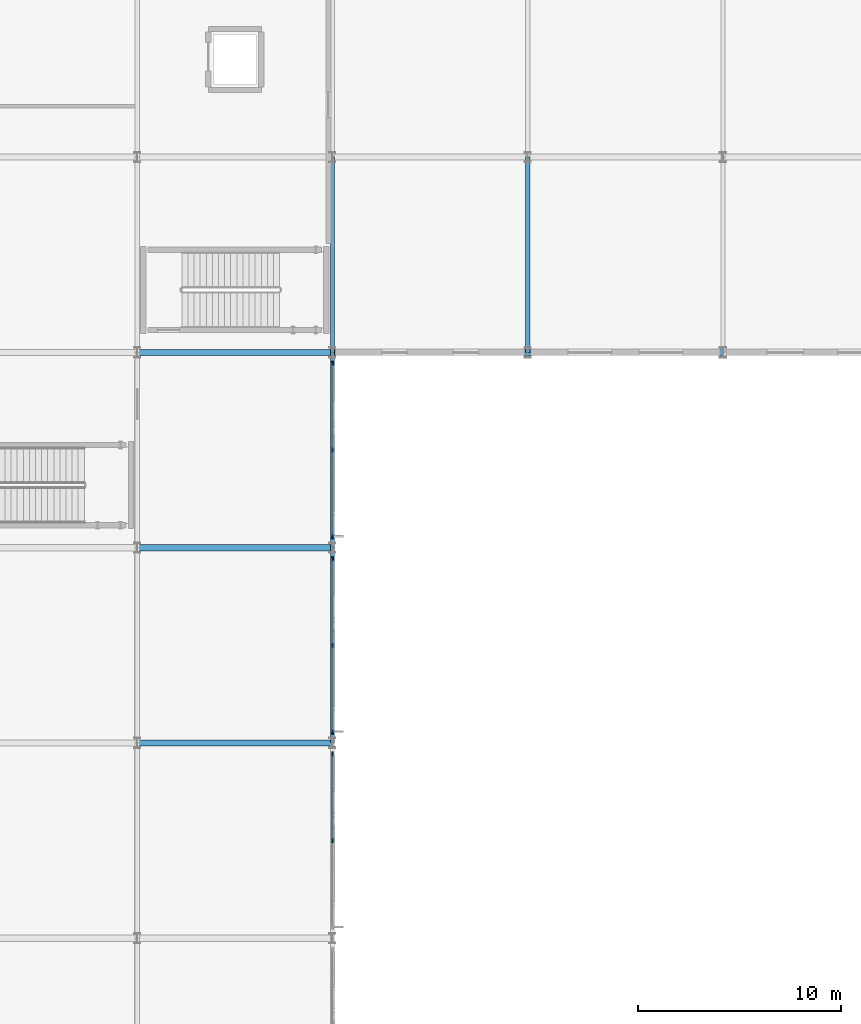
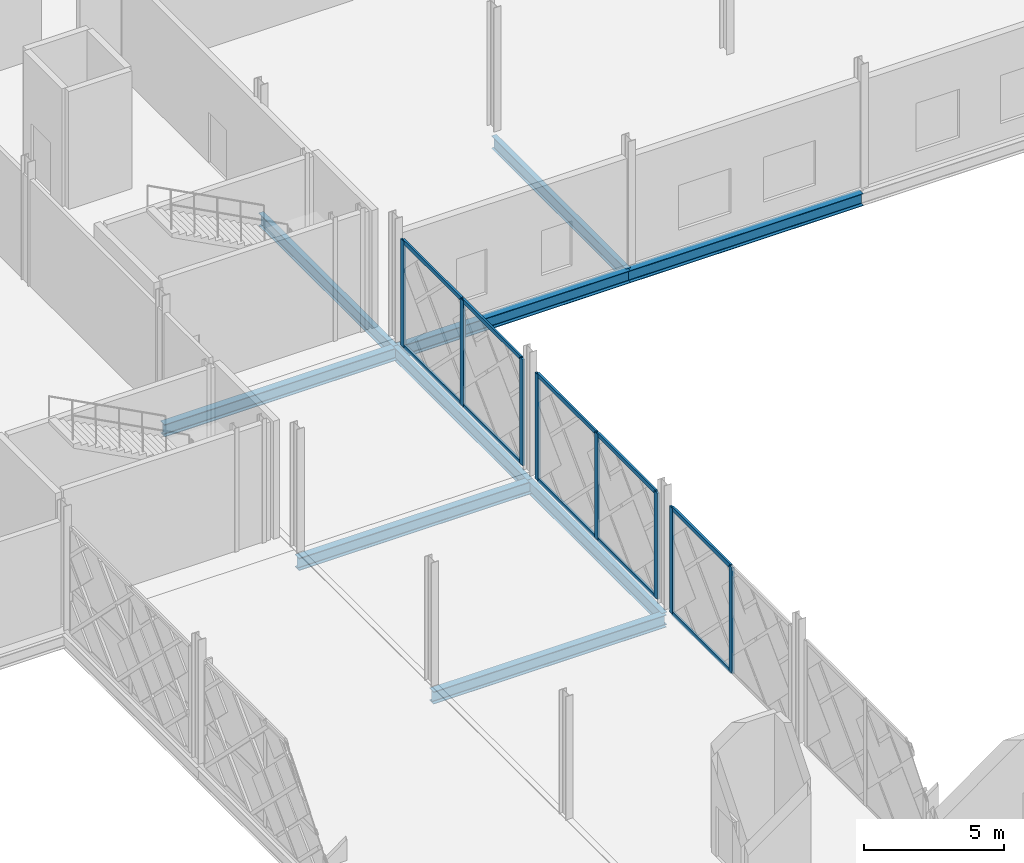
# One storey, part 38 of 84: 18 members, 9 beams, 3 elements without a shape of their own.
"""IFC4 building model written with IfcOpenShell, lengths in metres."""

from ifc_helpers import new_model, si_unit, direction, frame, origin, origin_2d, place, context, subcontext, project, spatial, rectangle, i_section, extrude, material, layer, layer_set, material_profile, profile_set, type_object, element, aggregate, save


model = new_model("IFC4")

# Units and contexts
model_context = context("Model", 3, precision=1e-05, world=origin(), true_north=direction((0.0, 1.0)))
body_context = subcontext(model_context, "Body", "Model", "MODEL_VIEW")
ifc_project = project(units=[si_unit("LENGTHUNIT", "METRE"), si_unit("AREAUNIT", "SQUARE_METRE"), si_unit("VOLUMEUNIT", "CUBIC_METRE"), si_unit("PLANEANGLEUNIT", "RADIAN"), si_unit("MASSUNIT", "GRAM", prefix="KILO")], contexts=[model_context])

# Site, building, storey
site_placement = place(None, origin())
site = spatial("IfcSite", under=ifc_project, at=site_placement, CompositionType="ELEMENT")
building_placement = place(site_placement, origin())
building = spatial("IfcBuilding", under=site, at=building_placement, Name="Zevrakil Square Congress Hotel", CompositionType="ELEMENT")
storey_placement = place(building_placement, origin())
storey = spatial("IfcBuildingStorey", under=building, at=storey_placement, Name="L01", CompositionType="ELEMENT", Elevation=0.0)

# Beams
ifc_material_1 = material(Name="Steel S355", Category="steel")
ifc_material_profile_1 = material_profile(ifc_material_1, i_section(OverallWidth=0.300048828125, OverallDepth=0.5400390625, WebThickness=0.012451171875, FlangeThickness=0.02392578125, FilletRadius=0.027099609375, at=origin_2d()), Name="HEA 550")
ifc_profile_set_1 = profile_set([ifc_material_profile_1], Name="Steel S355")
beam_type_1 = type_object("IfcBeamType", Name="BM-HEA550", PredefinedType="BEAM", material=ifc_profile_set_1)
for number, where, z_axis, x_axis, name in (
    (1, (55.199951171875, 64.800048828125, -0.590087890625), (1.0, 0.0, 0.0), (0.0, 1.0, 0.0), "L01 primary girder BX-0371"),
    (2, (55.199951171875, 74.39990234375, -0.590087890625), (1.0, 0.0, 0.0), (0.0, 1.0, 0.0), "L01 primary girder BX-0385"),
    (3, (55.199951171875, 84.0, -0.590087890625), (1.0, 0.0, 0.0), (0.0, 1.0, 0.0), "L01 primary girder BX-0391"),
):
    element("IfcBeam", number, at=place(storey_placement, frame(where, z_axis=z_axis, x_axis=x_axis)), inside=storey, type_object=beam_type_1, Name=name, PredefinedType="BEAM", context=body_context, shape_type="SweptSolid", body=[
        extrude(i_section(OverallWidth=0.300048828125, OverallDepth=0.5400390625, WebThickness=0.012451171875, FlangeThickness=0.02392578125, FilletRadius=0.027099609375, at=origin_2d()), origin(), (0.0, 0.0, 1.0), 9.60009765625),
    ])
beam_1_placement = place(storey_placement, frame((64.800048828125, 84.0, -0.590087890625), z_axis=(1.0, 0.0, 0.0), x_axis=(0.0, 1.0, 0.0)))
element("IfcBeam", 4, at=beam_1_placement, inside=storey, type_object=beam_type_1, Name="L01 primary girder BX-0392", PredefinedType="BEAM", context=body_context, shape_type="SweptSolid", body=[
    extrude(i_section(OverallWidth=0.300048828125, OverallDepth=0.5400390625, WebThickness=0.012451171875, FlangeThickness=0.02392578125, FilletRadius=0.027099609375, at=origin_2d()), origin(), (0.0, 0.0, 1.0), 9.599853515625),
])
beam_2_placement = place(storey_placement, frame((74.39990234375, 84.0, -0.590087890625), z_axis=(1.0, 0.0, 0.0), x_axis=(0.0, 1.0, 0.0)))
element("IfcBeam", 5, at=beam_2_placement, inside=storey, type_object=beam_type_1, Name="L01 primary girder BX-0393", PredefinedType="BEAM", context=body_context, shape_type="SweptSolid", body=[
    extrude(i_section(OverallWidth=0.300048828125, OverallDepth=0.5400390625, WebThickness=0.012451171875, FlangeThickness=0.02392578125, FilletRadius=0.027099609375, at=origin_2d()), origin(), (0.0, 0.0, 1.0), 9.60009765625),
])
ifc_material_2 = material(Name="Steel S355", Category="steel")
ifc_material_profile_2 = material_profile(ifc_material_2, i_section(OverallWidth=0.2099609375, OverallDepth=0.550048828125, WebThickness=0.010986328125, FlangeThickness=0.01708984375, FilletRadius=0.02392578125, at=origin_2d()), Name="IPE 550")
ifc_profile_set_2 = profile_set([ifc_material_profile_2], Name="Steel S355")
beam_type_2 = type_object("IfcBeamType", Name="BM-IPE550", PredefinedType="BEAM", material=ifc_profile_set_2)
beam_3_placement = place(storey_placement, frame((64.800048828125, 64.800048828125, -0.594970703125), z_axis=(0.0, 1.0, 0.0), x_axis=(-1.0, 0.0, 0.0)))
element("IfcBeam", 6, at=beam_3_placement, inside=storey, type_object=beam_type_2, Name="L01 primary girder BY-0542", PredefinedType="BEAM", context=body_context, shape_type="SweptSolid", body=[
    extrude(i_section(OverallWidth=0.2099609375, OverallDepth=0.550048828125, WebThickness=0.010986328125, FlangeThickness=0.01708984375, FilletRadius=0.02392578125, at=origin_2d()), origin(), (0.0, 0.0, 1.0), 9.599853515625),
])
for number, where, z_axis, x_axis, name in (
    (7, (64.800048828125, 74.39990234375, -0.594970703125), (0.0, 1.0, 0.0), (-1.0, 0.0, 0.0), "L01 primary girder BY-0543"),
    (8, (64.800048828125, 84.0, -0.594970703125), (0.0, 1.0, 0.0), (-1.0, 0.0, 0.0), "L01 primary girder BY-0544"),
    (9, (74.39990234375, 84.0, -0.594970703125), (0.0, 1.0, 0.0), (-1.0, 0.0, 0.0), "L01 primary girder BY-0553"),
):
    element("IfcBeam", number, at=place(storey_placement, frame(where, z_axis=z_axis, x_axis=x_axis)), inside=storey, type_object=beam_type_2, Name=name, PredefinedType="BEAM", context=body_context, shape_type="SweptSolid", body=[
        extrude(i_section(OverallWidth=0.2099609375, OverallDepth=0.550048828125, WebThickness=0.010986328125, FlangeThickness=0.01708984375, FilletRadius=0.02392578125, at=origin_2d()), origin(), (0.0, 0.0, 1.0), 9.60009765625),
    ])

# Curtain wall, members
ifc_material_3 = material(Name="Aluminium Anodised Bronze", Category="aluminium")
ifc_layer = layer(ifc_material_3, 0.179931640625)
ifc_layer_set = layer_set([ifc_layer], Name="Aluminium Anodised Bronze")
curtain_wall_type = type_object("IfcCurtainWallType", Name="CW-L01-840", PredefinedType="USERDEFINED", material=ifc_layer_set)
curtain_wall_1_placement = place(storey_placement, origin())
curtain_wall_1 = element("IfcCurtainWall", 10, at=curtain_wall_1_placement, inside=storey, type_object=curtain_wall_type, Name="L01 diamond curtain wall CW-L01-0125", ObjectType="GLAZED CURTAIN WALL", PredefinedType="USERDEFINED")
ifc_material_4 = material(Name="Aluminium Anodised Bronze", Category="aluminium")
ifc_material_profile_3 = material_profile(ifc_material_4, rectangle(XDim=0.0849609375, YDim=0.179931640625, at=origin_2d()), Name="ALU 85x180")
ifc_profile_set_3 = profile_set([ifc_material_profile_3], Name="Aluminium Anodised Bronze")
member_type_1 = type_object("IfcMemberType", Name="CWM-ALU85x180", PredefinedType="USERDEFINED", material=ifc_profile_set_3)
member_1_placement = place(storey_placement, frame((64.800048828125, 60.030029296875, 0.030029296875), z_axis=(0.0, 1.0, 0.0), x_axis=(-1.0, 0.0, 0.0)))
member_1 = element("IfcMember", 11, at=member_1_placement, type_object=member_type_1, Name="CW-11 transom 2.1", ObjectType="TRANSOM", PredefinedType="USERDEFINED", context=body_context, shape_type="SweptSolid", body=[
    extrude(rectangle(XDim=0.0849609375, YDim=0.179931640625, at=origin_2d()), origin(), (0.0, 0.0, 1.0), 4.18994140625),
])
member_2_placement = place(storey_placement, frame((64.800048828125, 60.030029296875, 4.594970703125), z_axis=(0.0, 1.0, 0.0), x_axis=(-1.0, 0.0, 0.0)))
member_2 = element("IfcMember", 12, at=member_2_placement, type_object=member_type_1, Name="CW-11 transom 2.2", ObjectType="TRANSOM", PredefinedType="USERDEFINED", context=body_context, shape_type="SweptSolid", body=[
    extrude(rectangle(XDim=0.0849609375, YDim=0.179931640625, at=origin_2d()), origin(), (0.0, 0.0, 1.0), 4.18994140625),
])

curtain_wall_2_placement = place(storey_placement, origin())
curtain_wall_2 = element("IfcCurtainWall", 13, at=curtain_wall_2_placement, inside=storey, type_object=curtain_wall_type, Name="L01 diamond curtain wall CW-L01-0131", ObjectType="GLAZED CURTAIN WALL", PredefinedType="USERDEFINED")
member_3_placement = place(storey_placement, frame((64.800048828125, 65.3798828125, 0.030029296875), z_axis=(0.0, 1.0, 0.0), x_axis=(-1.0, 0.0, 0.0)))
member_3 = element("IfcMember", 14, at=member_3_placement, type_object=member_type_1, Name="CW-11 transom 1.1", ObjectType="TRANSOM", PredefinedType="USERDEFINED", context=body_context, shape_type="SweptSolid", body=[
    extrude(rectangle(XDim=0.0849609375, YDim=0.179931640625, at=origin_2d()), origin(), (0.0, 0.0, 1.0), 4.190185546875),
])
member_4_placement = place(storey_placement, frame((64.800048828125, 65.3798828125, 4.594970703125), z_axis=(0.0, 1.0, 0.0), x_axis=(-1.0, 0.0, 0.0)))
member_4 = element("IfcMember", 15, at=member_4_placement, type_object=member_type_1, Name="CW-11 transom 1.2", ObjectType="TRANSOM", PredefinedType="USERDEFINED", context=body_context, shape_type="SweptSolid", body=[
    extrude(rectangle(XDim=0.0849609375, YDim=0.179931640625, at=origin_2d()), origin(), (0.0, 0.0, 1.0), 4.190185546875),
])
member_5_placement = place(storey_placement, frame((64.800048828125, 69.6298828125, 0.030029296875), z_axis=(0.0, 1.0, 0.0), x_axis=(-1.0, 0.0, 0.0)))
member_5 = element("IfcMember", 16, at=member_5_placement, type_object=member_type_1, Name="CW-11 transom 2.1", ObjectType="TRANSOM", PredefinedType="USERDEFINED", context=body_context, shape_type="SweptSolid", body=[
    extrude(rectangle(XDim=0.0849609375, YDim=0.179931640625, at=origin_2d()), origin(), (0.0, 0.0, 1.0), 4.190185546875),
])
member_6_placement = place(storey_placement, frame((64.800048828125, 69.6298828125, 4.594970703125), z_axis=(0.0, 1.0, 0.0), x_axis=(-1.0, 0.0, 0.0)))
member_6 = element("IfcMember", 17, at=member_6_placement, type_object=member_type_1, Name="CW-11 transom 2.2", ObjectType="TRANSOM", PredefinedType="USERDEFINED", context=body_context, shape_type="SweptSolid", body=[
    extrude(rectangle(XDim=0.0849609375, YDim=0.179931640625, at=origin_2d()), origin(), (0.0, 0.0, 1.0), 4.190185546875),
])

curtain_wall_3_placement = place(storey_placement, origin())
curtain_wall_3 = element("IfcCurtainWall", 18, at=curtain_wall_3_placement, inside=storey, type_object=curtain_wall_type, Name="L01 diamond curtain wall CW-L01-0137", ObjectType="GLAZED CURTAIN WALL", PredefinedType="USERDEFINED")
member_7_placement = place(storey_placement, frame((64.800048828125, 74.97998046875, 0.030029296875), z_axis=(0.0, 1.0, 0.0), x_axis=(-1.0, 0.0, 0.0)))
member_7 = element("IfcMember", 19, at=member_7_placement, type_object=member_type_1, Name="CW-11 transom 1.1", ObjectType="TRANSOM", PredefinedType="USERDEFINED", context=body_context, shape_type="SweptSolid", body=[
    extrude(rectangle(XDim=0.0849609375, YDim=0.179931640625, at=origin_2d()), origin(), (0.0, 0.0, 1.0), 4.18994140625),
])
member_8_placement = place(storey_placement, frame((64.800048828125, 74.97998046875, 4.594970703125), z_axis=(0.0, 1.0, 0.0), x_axis=(-1.0, 0.0, 0.0)))
member_8 = element("IfcMember", 20, at=member_8_placement, type_object=member_type_1, Name="CW-11 transom 1.2", ObjectType="TRANSOM", PredefinedType="USERDEFINED", context=body_context, shape_type="SweptSolid", body=[
    extrude(rectangle(XDim=0.0849609375, YDim=0.179931640625, at=origin_2d()), origin(), (0.0, 0.0, 1.0), 4.18994140625),
])
member_9_placement = place(storey_placement, frame((64.800048828125, 79.22998046875, 0.030029296875), z_axis=(0.0, 1.0, 0.0), x_axis=(-1.0, 0.0, 0.0)))
member_9 = element("IfcMember", 21, at=member_9_placement, type_object=member_type_1, Name="CW-11 transom 2.1", ObjectType="TRANSOM", PredefinedType="USERDEFINED", context=body_context, shape_type="SweptSolid", body=[
    extrude(rectangle(XDim=0.0849609375, YDim=0.179931640625, at=origin_2d()), origin(), (0.0, 0.0, 1.0), 4.18994140625),
])
member_10_placement = place(storey_placement, frame((64.800048828125, 79.22998046875, 4.594970703125), z_axis=(0.0, 1.0, 0.0), x_axis=(-1.0, 0.0, 0.0)))
member_10 = element("IfcMember", 22, at=member_10_placement, type_object=member_type_1, Name="CW-11 transom 2.2", ObjectType="TRANSOM", PredefinedType="USERDEFINED", context=body_context, shape_type="SweptSolid", body=[
    extrude(rectangle(XDim=0.0849609375, YDim=0.179931640625, at=origin_2d()), origin(), (0.0, 0.0, 1.0), 4.18994140625),
])

# Member
ifc_material_5 = material(Name="Aluminium Anodised Bronze", Category="aluminium")
ifc_material_profile_4 = material_profile(ifc_material_5, rectangle(XDim=0.0849609375, YDim=0.219970703125, at=origin_2d()), Name="ALU 85x220")
ifc_profile_set_4 = profile_set([ifc_material_profile_4], Name="Aluminium Anodised Bronze")
member_type_2 = type_object("IfcMemberType", Name="CWM-ALU85x220", PredefinedType="MULLION", material=ifc_profile_set_4)
member_11_placement = place(storey_placement, frame((64.800048828125, 60.0, 0.0), z_axis=(0.0, 0.0, 1.0), x_axis=(-1.0, 0.0, 0.0)))
member_11 = element("IfcMember", 23, at=member_11_placement, type_object=member_type_2, Name="CW-11 mullion 2", PredefinedType="MULLION", context=body_context, shape_type="SweptSolid", body=[
    extrude(rectangle(XDim=0.0849609375, YDim=0.219970703125, at=origin_2d()), origin(), (0.0, 0.0, 1.0), 4.625),
])

member_12_placement = place(storey_placement, frame((64.800048828125, 64.25, 0.0), z_axis=(0.0, 0.0, 1.0), x_axis=(-1.0, 0.0, 0.0)))
member_12 = element("IfcMember", 24, at=member_12_placement, type_object=member_type_2, Name="CW-11 mullion 3", PredefinedType="MULLION", context=body_context, shape_type="SweptSolid", body=[
    extrude(rectangle(XDim=0.0849609375, YDim=0.219970703125, at=origin_2d()), origin(), (0.0, 0.0, 1.0), 4.625),
])

aggregate(curtain_wall_1, [member_11, member_12, member_1, member_2])

member_13_placement = place(storey_placement, frame((64.800048828125, 65.35009765625, 0.0), z_axis=(0.0, 0.0, 1.0), x_axis=(-1.0, 0.0, 0.0)))
member_13 = element("IfcMember", 25, at=member_13_placement, type_object=member_type_2, Name="CW-11 mullion 1", PredefinedType="MULLION", context=body_context, shape_type="SweptSolid", body=[
    extrude(rectangle(XDim=0.0849609375, YDim=0.219970703125, at=origin_2d()), origin(), (0.0, 0.0, 1.0), 4.625),
])

member_14_placement = place(storey_placement, frame((64.800048828125, 69.60009765625, 0.0), z_axis=(0.0, 0.0, 1.0), x_axis=(-1.0, 0.0, 0.0)))
member_14 = element("IfcMember", 26, at=member_14_placement, type_object=member_type_2, Name="CW-11 mullion 2", PredefinedType="MULLION", context=body_context, shape_type="SweptSolid", body=[
    extrude(rectangle(XDim=0.0849609375, YDim=0.219970703125, at=origin_2d()), origin(), (0.0, 0.0, 1.0), 4.625),
])

member_15_placement = place(storey_placement, frame((64.800048828125, 73.85009765625, 0.0), z_axis=(0.0, 0.0, 1.0), x_axis=(-1.0, 0.0, 0.0)))
member_15 = element("IfcMember", 27, at=member_15_placement, type_object=member_type_2, Name="CW-11 mullion 3", PredefinedType="MULLION", context=body_context, shape_type="SweptSolid", body=[
    extrude(rectangle(XDim=0.0849609375, YDim=0.219970703125, at=origin_2d()), origin(), (0.0, 0.0, 1.0), 4.625),
])

aggregate(curtain_wall_2, [member_13, member_14, member_15, member_3, member_4, member_5, member_6])

member_16_placement = place(storey_placement, frame((64.800048828125, 74.949951171875, 0.0), z_axis=(0.0, 0.0, 1.0), x_axis=(-1.0, 0.0, 0.0)))
member_16 = element("IfcMember", 28, at=member_16_placement, type_object=member_type_2, Name="CW-11 mullion 1", PredefinedType="MULLION", context=body_context, shape_type="SweptSolid", body=[
    extrude(rectangle(XDim=0.0849609375, YDim=0.219970703125, at=origin_2d()), origin(), (0.0, 0.0, 1.0), 4.625),
])

member_17_placement = place(storey_placement, frame((64.800048828125, 79.199951171875, 0.0), z_axis=(0.0, 0.0, 1.0), x_axis=(-1.0, 0.0, 0.0)))
member_17 = element("IfcMember", 29, at=member_17_placement, type_object=member_type_2, Name="CW-11 mullion 2", PredefinedType="MULLION", context=body_context, shape_type="SweptSolid", body=[
    extrude(rectangle(XDim=0.0849609375, YDim=0.219970703125, at=origin_2d()), origin(), (0.0, 0.0, 1.0), 4.625),
])

member_18_placement = place(storey_placement, frame((64.800048828125, 83.449951171875, 0.0), z_axis=(0.0, 0.0, 1.0), x_axis=(-1.0, 0.0, 0.0)))
member_18 = element("IfcMember", 30, at=member_18_placement, type_object=member_type_2, Name="CW-11 mullion 3", PredefinedType="MULLION", context=body_context, shape_type="SweptSolid", body=[
    extrude(rectangle(XDim=0.0849609375, YDim=0.219970703125, at=origin_2d()), origin(), (0.0, 0.0, 1.0), 4.625),
])

aggregate(curtain_wall_3, [member_16, member_17, member_18, member_7, member_8, member_9, member_10])

save(model, "model.ifc")
